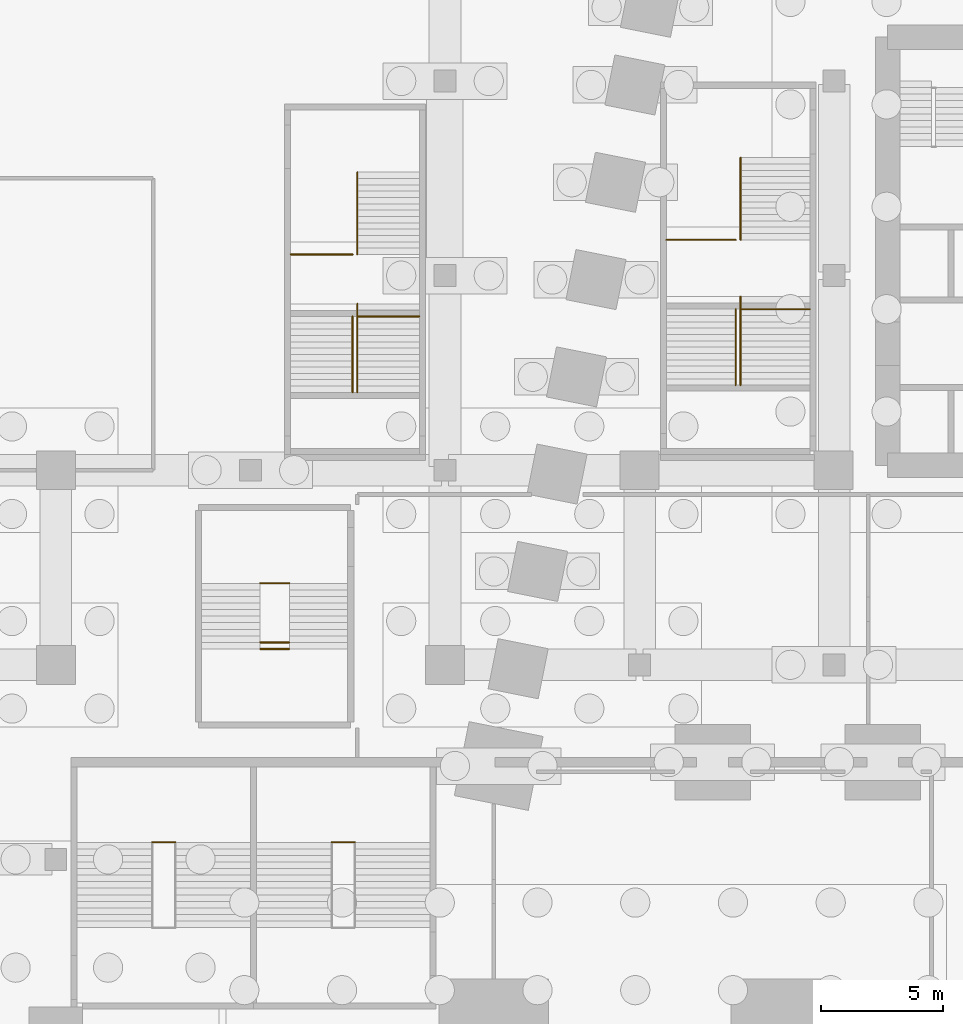
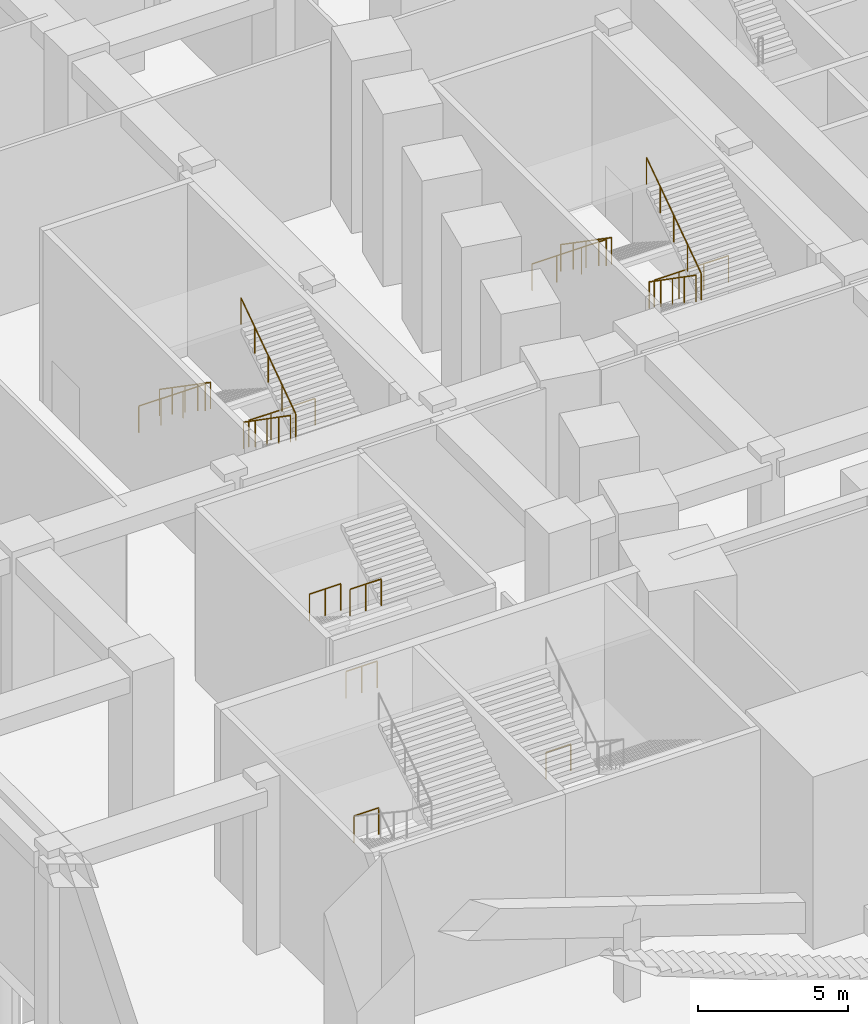
# One storey, part 24 of 30: 15 railings.
"""IFC4 building model written with IfcOpenShell, lengths in metres."""

from ifc_helpers import new_model, si_unit, direction, frame, origin, origin_2d, place, context, subcontext, project, spatial, circle, extrude, material, type_object, element, save


model = new_model("IFC4")

# Units and contexts
model_context = context("Model", 3, precision=1e-05, world=origin(), true_north=direction((0.0, 1.0)))
body_context = subcontext(model_context, "Body", "Model", "MODEL_VIEW")
ifc_project = project(units=[si_unit("LENGTHUNIT", "METRE"), si_unit("AREAUNIT", "SQUARE_METRE"), si_unit("VOLUMEUNIT", "CUBIC_METRE"), si_unit("PLANEANGLEUNIT", "RADIAN"), si_unit("MASSUNIT", "GRAM", prefix="KILO")], contexts=[model_context])

# Site, building, storey
site_placement = place(None, origin())
site = spatial("IfcSite", under=ifc_project, at=site_placement, CompositionType="ELEMENT")
building_placement = place(site_placement, origin())
building = spatial("IfcBuilding", under=site, at=building_placement, Name="Isbrekke Arena Tower", CompositionType="ELEMENT")
storey_placement = place(building_placement, frame((0.0, 0.0, -7.0)))
storey = spatial("IfcBuildingStorey", under=building, at=storey_placement, Name="B1", CompositionType="ELEMENT", Elevation=-7.0)

# Railings
ifc_material = material(Name="Steel stair guard, vertical bars, steel handrail", Category="steel")
railing_type = type_object("IfcRailingType", Name="GR3 STAIR WELL GUARD 1100", PredefinedType="GUARDRAIL", material=ifc_material)
for number, where, name in (
    (1, (-36.659912109375, -9.294921875, 2.333251953125), "GR3 stair guard X3 landing 1"),
    (2, (-44.034912109375, -9.294921875, 2.333251953125), "GR3 stair guard X4 landing 1"),
):
    element("IfcRailing", number, at=place(storey_placement, frame(where)), inside=storey, type_object=railing_type, Name=name, PredefinedType="GUARDRAIL", context=body_context, shape_type="SweptSolid", body=[
        extrude(circle(Radius=0.02392578125, at=origin_2d()), frame((0.0, 0.0, 1.076171875), z_axis=(1.0, 0.0, 0.0), x_axis=(0.0, 1.0, 0.0)), (0.0, 0.0, 1.0), 0.94482421875),
        extrude(circle(Radius=0.02099609375, at=origin_2d()), origin(), (0.0, 0.0, 1.0), 1.052001953125),
        extrude(circle(Radius=0.02099609375, at=origin_2d()), frame((0.94482421875, 0.0, 0.0)), (0.0, 0.0, 1.0), 1.052001953125),
    ])
railing_1_placement = place(storey_placement, frame((-19.85009765625, 18.85009765625, 0.0)))
element("IfcRailing", 3, at=railing_1_placement, inside=storey, type_object=railing_type, Name="GR3 stair guard X6 flight 1", PredefinedType="GUARDRAIL", context=body_context, shape_type="SweptSolid", body=[
    extrude(circle(Radius=0.02392578125, at=origin_2d()), frame((0.0, 0.0, 1.076171875), z_axis=(0.0, -0.82297034587, 0.568084333368), x_axis=(1.0, 0.0, 0.0)), (0.0, 0.0, 1.0), 4.107177734375),
    extrude(circle(Radius=0.02099609375, at=origin_2d()), origin(), (0.0, 0.0, 1.0), 1.052001953125),
    extrude(circle(Radius=0.02099609375, at=origin_2d()), frame((0.0, -0.844970703125, 0.583251953125)), (0.0, 0.0, 1.0), 1.052001953125),
    extrude(circle(Radius=0.02099609375, at=origin_2d()), frame((0.0, -1.68994140625, 1.16650390625)), (0.0, 0.0, 1.0), 1.052001953125),
    extrude(circle(Radius=0.02099609375, at=origin_2d()), frame((0.0, -2.53515625, 1.75)), (0.0, 0.0, 1.0), 1.052001953125),
    extrude(circle(Radius=0.02099609375, at=origin_2d()), frame((0.0, -3.380126953125, 2.333251953125)), (0.0, 0.0, 1.0), 1.052001953125),
])
railing_2_placement = place(storey_placement, frame((-22.89990234375, 15.469970703125, 2.333251953125)))
element("IfcRailing", 4, at=railing_2_placement, inside=storey, type_object=railing_type, Name="GR3 stair guard X6 landing 1 north", PredefinedType="GUARDRAIL", context=body_context, shape_type="SweptSolid", body=[
    extrude(circle(Radius=0.02392578125, at=origin_2d()), frame((0.0, 0.0, 1.076171875), z_axis=(1.0, 0.0, 0.0), x_axis=(0.0, 1.0, 0.0)), (0.0, 0.0, 1.0), 2.849853515625),
    extrude(circle(Radius=0.02099609375, at=origin_2d()), origin(), (0.0, 0.0, 1.0), 1.052001953125),
    extrude(circle(Radius=0.02099609375, at=origin_2d()), frame((0.949951171875, 0.0, 0.0)), (0.0, 0.0, 1.0), 1.052001953125),
    extrude(circle(Radius=0.02099609375, at=origin_2d()), frame((1.89990234375, 0.0, 0.0)), (0.0, 0.0, 1.0), 1.052001953125),
    extrude(circle(Radius=0.02099609375, at=origin_2d()), frame((2.849853515625, 0.0, 0.0)), (0.0, 0.0, 1.0), 1.052001953125),
])
railing_3_placement = place(storey_placement, frame((-19.85009765625, 12.6201171875, 2.333251953125)))
element("IfcRailing", 5, at=railing_3_placement, inside=storey, type_object=railing_type, Name="GR3 stair guard X6 landing 1 south", PredefinedType="GUARDRAIL", context=body_context, shape_type="SweptSolid", body=[
    extrude(circle(Radius=0.02392578125, at=origin_2d()), frame((0.0, 0.0, 1.076171875), z_axis=(1.0, 0.0, 0.0), x_axis=(0.0, 1.0, 0.0)), (0.0, 0.0, 1.0), 2.85009765625),
    extrude(circle(Radius=0.02099609375, at=origin_2d()), origin(), (0.0, 0.0, 1.0), 1.052001953125),
    extrude(circle(Radius=0.02099609375, at=origin_2d()), frame((0.949951171875, 0.0, 0.0)), (0.0, 0.0, 1.0), 1.052001953125),
    extrude(circle(Radius=0.02099609375, at=origin_2d()), frame((1.900146484375, 0.0, 0.0)), (0.0, 0.0, 1.0), 1.052001953125),
    extrude(circle(Radius=0.02099609375, at=origin_2d()), frame((2.85009765625, 0.0, 0.0)), (0.0, 0.0, 1.0), 1.052001953125),
])
railing_4_placement = place(storey_placement, frame((-20.050048828125, 12.6201171875, 2.333251953125)))
element("IfcRailing", 6, at=railing_4_placement, inside=storey, type_object=railing_type, Name="GR3 stair guard X6 flight 2", PredefinedType="GUARDRAIL", context=body_context, shape_type="SweptSolid", body=[
    extrude(circle(Radius=0.02392578125, at=origin_2d()), frame((0.0, 0.0, 1.076171875), z_axis=(0.0, -0.821369965673, 0.570395809495), x_axis=(1.0, 0.0, 0.0)), (0.0, 0.0, 1.0), 3.798583984375),
    extrude(circle(Radius=0.02099609375, at=origin_2d()), origin(), (0.0, 0.0, 1.0), 1.052001953125),
    extrude(circle(Radius=0.02099609375, at=origin_2d()), frame((0.0, -0.780029296875, 0.541748046875)), (0.0, 0.0, 1.0), 1.052001953125),
    extrude(circle(Radius=0.02099609375, at=origin_2d()), frame((0.0, -1.56005859375, 1.08349609375)), (0.0, 0.0, 1.0), 1.052001953125),
    extrude(circle(Radius=0.02099609375, at=origin_2d()), frame((0.0, -2.340087890625, 1.625)), (0.0, 0.0, 1.0), 1.052001953125),
    extrude(circle(Radius=0.02099609375, at=origin_2d()), frame((0.0, -3.1201171875, 2.166748046875)), (0.0, 0.0, 1.0), 1.052001953125),
])
railing_5_placement = place(storey_placement, frame((-19.85009765625, 9.5, 4.5)))
element("IfcRailing", 7, at=railing_5_placement, inside=storey, type_object=railing_type, Name="GR3 stair guard X6 flight 3", PredefinedType="GUARDRAIL", context=body_context, shape_type="SweptSolid", body=[
    extrude(circle(Radius=0.02392578125, at=origin_2d()), frame((0.0, 0.0, 1.076171875), z_axis=(0.0, 0.824298337968, 0.566155676491), x_axis=(-1.0, 0.0, 0.0)), (0.0, 0.0, 1.0), 4.415771484375),
    extrude(circle(Radius=0.02099609375, at=origin_2d()), origin(), (0.0, 0.0, 1.0), 1.052001953125),
    extrude(circle(Radius=0.02099609375, at=origin_2d()), frame((0.0, 0.909912109375, 0.625)), (0.0, 0.0, 1.0), 1.052001953125),
    extrude(circle(Radius=0.02099609375, at=origin_2d()), frame((0.0, 1.81982421875, 1.25)), (0.0, 0.0, 1.0), 1.052001953125),
    extrude(circle(Radius=0.02099609375, at=origin_2d()), frame((0.0, 2.72998046875, 1.875)), (0.0, 0.0, 1.0), 1.052001953125),
    extrude(circle(Radius=0.02099609375, at=origin_2d()), frame((0.0, 3.639892578125, 2.5)), (0.0, 0.0, 1.0), 1.052001953125),
])
railing_6_placement = place(storey_placement, frame((-35.60009765625, 18.25, 0.0)))
element("IfcRailing", 8, at=railing_6_placement, inside=storey, type_object=railing_type, Name="GR3 stair guard X8 flight 1", PredefinedType="GUARDRAIL", context=body_context, shape_type="SweptSolid", body=[
    extrude(circle(Radius=0.02392578125, at=origin_2d()), frame((0.0, 0.0, 1.076171875), z_axis=(0.0, -0.822951161448, 0.568112124383), x_axis=(1.0, 0.0, 0.0)), (0.0, 0.0, 1.0), 4.10693359375),
    extrude(circle(Radius=0.02099609375, at=origin_2d()), origin(), (0.0, 0.0, 1.0), 1.052001953125),
    extrude(circle(Radius=0.02099609375, at=origin_2d()), frame((0.0, -0.844970703125, 0.583251953125)), (0.0, 0.0, 1.0), 1.052001953125),
    extrude(circle(Radius=0.02099609375, at=origin_2d()), frame((0.0, -1.68994140625, 1.16650390625)), (0.0, 0.0, 1.0), 1.052001953125),
    extrude(circle(Radius=0.02099609375, at=origin_2d()), frame((0.0, -2.534912109375, 1.75)), (0.0, 0.0, 1.0), 1.052001953125),
    extrude(circle(Radius=0.02099609375, at=origin_2d()), frame((0.0, -3.3798828125, 2.333251953125)), (0.0, 0.0, 1.0), 1.052001953125),
])
for number, where, name in (
    (9, (-38.35009765625, 14.8701171875, 2.333251953125), "GR3 stair guard X8 landing 1 north"),
    (10, (-35.60009765625, 12.320068359375, 2.333251953125), "GR3 stair guard X8 landing 1 south"),
):
    element("IfcRailing", number, at=place(storey_placement, frame(where)), inside=storey, type_object=railing_type, Name=name, PredefinedType="GUARDRAIL", context=body_context, shape_type="SweptSolid", body=[
        extrude(circle(Radius=0.02392578125, at=origin_2d()), frame((0.0, 0.0, 1.076171875), z_axis=(1.0, 0.0, 0.0), x_axis=(0.0, 1.0, 0.0)), (0.0, 0.0, 1.0), 2.550048828125),
        extrude(circle(Radius=0.02099609375, at=origin_2d()), origin(), (0.0, 0.0, 1.0), 1.052001953125),
        extrude(circle(Radius=0.02099609375, at=origin_2d()), frame((0.85009765625, 0.0, 0.0)), (0.0, 0.0, 1.0), 1.052001953125),
        extrude(circle(Radius=0.02099609375, at=origin_2d()), frame((1.699951171875, 0.0, 0.0)), (0.0, 0.0, 1.0), 1.052001953125),
        extrude(circle(Radius=0.02099609375, at=origin_2d()), frame((2.550048828125, 0.0, 0.0)), (0.0, 0.0, 1.0), 1.052001953125),
    ])
railing_7_placement = place(storey_placement, frame((-35.800048828125, 12.320068359375, 2.333251953125)))
element("IfcRailing", 11, at=railing_7_placement, inside=storey, type_object=railing_type, Name="GR3 stair guard X8 flight 2", PredefinedType="GUARDRAIL", context=body_context, shape_type="SweptSolid", body=[
    extrude(circle(Radius=0.02392578125, at=origin_2d()), frame((0.0, 0.0, 1.076171875), z_axis=(0.0, -0.821369965673, 0.570395809495), x_axis=(1.0, 0.0, 0.0)), (0.0, 0.0, 1.0), 3.798583984375),
    extrude(circle(Radius=0.02099609375, at=origin_2d()), origin(), (0.0, 0.0, 1.0), 1.052001953125),
    extrude(circle(Radius=0.02099609375, at=origin_2d()), frame((0.0, -0.780029296875, 0.541748046875)), (0.0, 0.0, 1.0), 1.052001953125),
    extrude(circle(Radius=0.02099609375, at=origin_2d()), frame((0.0, -1.56005859375, 1.08349609375)), (0.0, 0.0, 1.0), 1.052001953125),
    extrude(circle(Radius=0.02099609375, at=origin_2d()), frame((0.0, -2.340087890625, 1.625)), (0.0, 0.0, 1.0), 1.052001953125),
    extrude(circle(Radius=0.02099609375, at=origin_2d()), frame((0.0, -3.1201171875, 2.166748046875)), (0.0, 0.0, 1.0), 1.052001953125),
])
railing_8_placement = place(storey_placement, frame((-35.60009765625, 9.199951171875, 4.5)))
element("IfcRailing", 12, at=railing_8_placement, inside=storey, type_object=railing_type, Name="GR3 stair guard X8 flight 3", PredefinedType="GUARDRAIL", context=body_context, shape_type="SweptSolid", body=[
    extrude(circle(Radius=0.02392578125, at=origin_2d()), frame((0.0, 0.0, 1.076171875), z_axis=(0.0, 0.824316058549, 0.566129875221), x_axis=(-1.0, 0.0, 0.0)), (0.0, 0.0, 1.0), 4.416015625),
    extrude(circle(Radius=0.02099609375, at=origin_2d()), origin(), (0.0, 0.0, 1.0), 1.052001953125),
    extrude(circle(Radius=0.02099609375, at=origin_2d()), frame((0.0, 0.91015625, 0.625)), (0.0, 0.0, 1.0), 1.052001953125),
    extrude(circle(Radius=0.02099609375, at=origin_2d()), frame((0.0, 1.820068359375, 1.25)), (0.0, 0.0, 1.0), 1.052001953125),
    extrude(circle(Radius=0.02099609375, at=origin_2d()), frame((0.0, 2.72998046875, 1.875)), (0.0, 0.0, 1.0), 1.052001953125),
    extrude(circle(Radius=0.02099609375, at=origin_2d()), frame((0.0, 3.64013671875, 2.5)), (0.0, 0.0, 1.0), 1.052001953125),
])
for number, where, name in (
    (13, (-39.60009765625, -1.080078125, 1.666748046875), "GR3 stair well guard V2 B1"),
    (14, (-39.60009765625, 1.35009765625, 3.333251953125), "GR3 stair well guard V2 B1"),
    (15, (-39.60009765625, -1.35009765625, 5.166748046875), "GR3 stair well guard V2 B1"),
):
    element("IfcRailing", number, at=place(storey_placement, frame(where)), inside=storey, type_object=railing_type, Name=name, PredefinedType="GUARDRAIL", context=body_context, shape_type="SweptSolid", body=[
        extrude(circle(Radius=0.02392578125, at=origin_2d()), frame((0.0, 0.0, 1.076171875), z_axis=(1.0, 0.0, 0.0), x_axis=(0.0, 1.0, 0.0)), (0.0, 0.0, 1.0), 1.2001953125),
        extrude(circle(Radius=0.02099609375, at=origin_2d()), origin(), (0.0, 0.0, 1.0), 1.052001953125),
        extrude(circle(Radius=0.02099609375, at=origin_2d()), frame((0.60009765625, 0.0, 0.0)), (0.0, 0.0, 1.0), 1.052001953125),
        extrude(circle(Radius=0.02099609375, at=origin_2d()), frame((1.2001953125, 0.0, 0.0)), (0.0, 0.0, 1.0), 1.052001953125),
    ])

save(model, "model.ifc")
